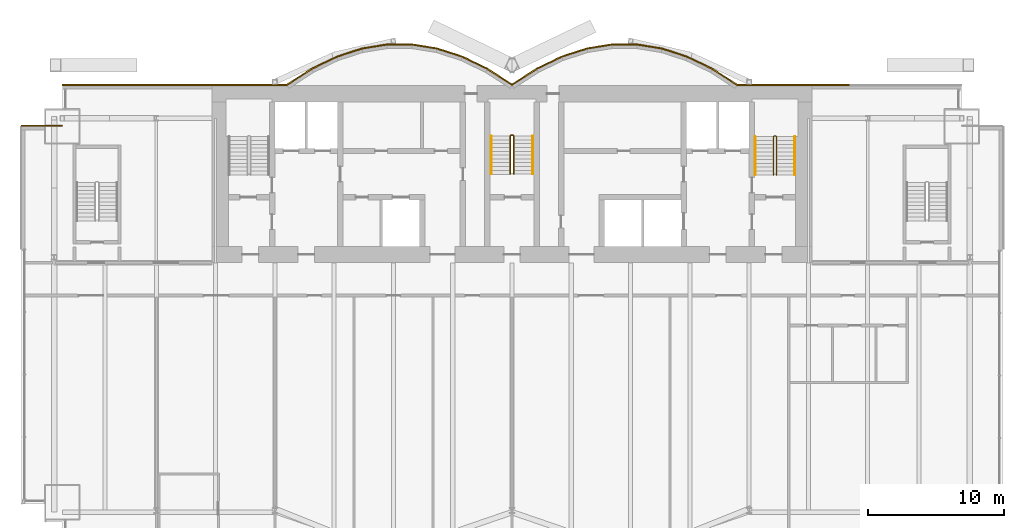
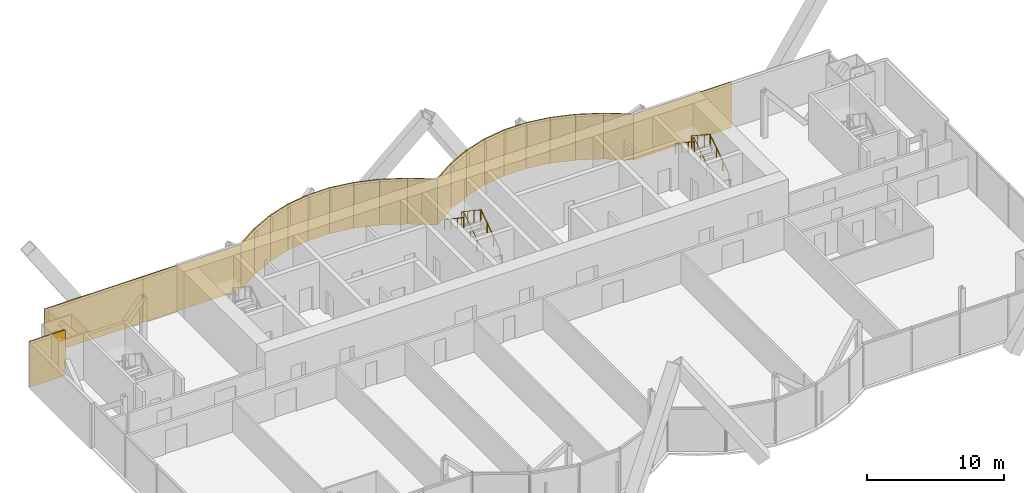
# One storey, part 20 of 21: 22 coverings, 6 railings.
"""IFC4 building model written with IfcOpenShell, lengths in metres."""

from ifc_helpers import new_model, si_unit, direction, frame, origin, origin_2d, place, context, subcontext, project, spatial, rectangle, circle, extrude, material, layer, layer_set, type_object, element, save


model = new_model("IFC4")

# Units and contexts
model_context = context("Model", 3, precision=1e-05, world=origin(), true_north=direction((0.0, 1.0)))
body_context = subcontext(model_context, "Body", "Model", "MODEL_VIEW")
ifc_project = project(units=[si_unit("LENGTHUNIT", "METRE"), si_unit("AREAUNIT", "SQUARE_METRE"), si_unit("VOLUMEUNIT", "CUBIC_METRE"), si_unit("PLANEANGLEUNIT", "RADIAN"), si_unit("MASSUNIT", "GRAM", prefix="KILO")], contexts=[model_context])

# Site, building, storey
site_placement = place(None, origin())
site = spatial("IfcSite", under=ifc_project, at=site_placement, CompositionType="ELEMENT")
building_placement = place(site_placement, origin())
building = spatial("IfcBuilding", under=site, at=building_placement, Name="Bicima Exchange Tower", CompositionType="ELEMENT")
storey_placement = place(building_placement, frame((0.0, 0.0, 181.39990234375)))
storey = spatial("IfcBuildingStorey", under=building, at=storey_placement, Name="L40", CompositionType="ELEMENT", Elevation=181.39990234375)

# Coverings
ifc_material_1 = material(Name="Bronze metal cladding")
ifc_layer_1 = layer(ifc_material_1, 0.004)
ifc_material_2 = material(Name="Ventilated cavity")
ifc_layer_2 = layer(ifc_material_2, 0.06)
ifc_material_3 = material(Name="Galvanised steel rail and mineral wool", Category="steel")
ifc_layer_3 = layer(ifc_material_3, 0.036)
ifc_layer_set = layer_set([ifc_layer_1, ifc_layer_2, ifc_layer_3], Name="Ventilated cavity")
covering_type = type_object("IfcCoveringType", Name="Bronze metal cladding panel 100", PredefinedType="CLADDING", material=ifc_layer_set)
covering_1_placement = place(storey_placement, frame((20.625, 0.050048828125, -0.14990234375), z_axis=(0.0, 0.0, 1.0), x_axis=(-1.0, 0.0, 0.0)))
element("IfcCovering", 1, at=covering_1_placement, inside=storey, type_object=covering_type, Name="Bronze cladding L40 1.2", PredefinedType="CLADDING", context=body_context, shape_type="SweptSolid", body=[
    extrude(rectangle(XDim=8.25, YDim=0.10009765625, at=origin_2d()), origin(), (0.0, 0.0, 1.0), 4.050048828125),
])
covering_2_placement = place(storey_placement, frame((15.610595703125, 0.634521484375, -0.14990234375), z_axis=(0.0, 0.0, 1.0), x_axis=(-0.839790466384, 0.542910648791, 0.0)))
element("IfcCovering", 2, at=covering_2_placement, inside=storey, type_object=covering_type, Name="Bronze cladding L40 2.1", PredefinedType="CLADDING", context=body_context, shape_type="SweptSolid", body=[
    extrude(rectangle(XDim=2.18310546875, YDim=0.10009765625, at=origin_2d()), origin(), (0.0, 0.0, 1.0), 4.050048828125),
])
covering_3_placement = place(storey_placement, frame((13.771728515625, 1.674560546875, -0.14990234375), z_axis=(0.0, 0.0, 1.0), x_axis=(-0.899818346812, 0.436264762204, 0.0)))
element("IfcCovering", 3, at=covering_3_placement, inside=storey, type_object=covering_type, Name="Bronze cladding L40 3.1", PredefinedType="CLADDING", context=body_context, shape_type="SweptSolid", body=[
    extrude(rectangle(XDim=2.03759765625, YDim=0.10009765625, at=origin_2d()), origin(), (0.0, 0.0, 1.0), 4.050048828125),
])
covering_4_placement = place(storey_placement, frame((11.931884765625, 2.41796875, -0.14990234375), z_axis=(0.0, 0.0, 1.0), x_axis=(-0.951524642381, 0.307572519808, 0.0)))
element("IfcCovering", 4, at=covering_4_placement, inside=storey, type_object=covering_type, Name="Bronze cladding L40 4.1", PredefinedType="CLADDING", context=body_context, shape_type="SweptSolid", body=[
    extrude(rectangle(XDim=1.9267578125, YDim=0.10009765625, at=origin_2d()), origin(), (0.0, 0.0, 1.0), 4.050048828125),
])
covering_5_placement = place(storey_placement, frame((10.09130859375, 2.8642578125, -0.14990234375), z_axis=(0.0, 0.0, 1.0), x_axis=(-0.987189786347, 0.159550386184, 0.0)))
element("IfcCovering", 5, at=covering_5_placement, inside=storey, type_object=covering_type, Name="Bronze cladding L40 5.1", PredefinedType="CLADDING", context=body_context, shape_type="SweptSolid", body=[
    extrude(rectangle(XDim=1.857177734375, YDim=0.10009765625, at=origin_2d()), origin(), (0.0, 0.0, 1.0), 4.050048828125),
])
covering_6_placement = place(storey_placement, frame((8.25, 3.012939453125, -0.14990234375), z_axis=(0.0, 0.0, 1.0), x_axis=(-1.0, 0.0, 0.0)))
element("IfcCovering", 6, at=covering_6_placement, inside=storey, type_object=covering_type, Name="Bronze cladding L40 6.1", PredefinedType="CLADDING", context=body_context, shape_type="SweptSolid", body=[
    extrude(rectangle(XDim=1.83349609375, YDim=0.10009765625, at=origin_2d()), origin(), (0.0, 0.0, 1.0), 4.050048828125),
])
covering_7_placement = place(storey_placement, frame((6.40869140625, 2.8642578125, -0.14990234375), z_axis=(0.0, 0.0, 1.0), x_axis=(-0.987189786347, -0.159550386184, 0.0)))
element("IfcCovering", 7, at=covering_7_placement, inside=storey, type_object=covering_type, Name="Bronze cladding L40 7.1", PredefinedType="CLADDING", context=body_context, shape_type="SweptSolid", body=[
    extrude(rectangle(XDim=1.857177734375, YDim=0.10009765625, at=origin_2d()), origin(), (0.0, 0.0, 1.0), 4.050048828125),
])
covering_8_placement = place(storey_placement, frame((4.568115234375, 2.41796875, -0.14990234375), z_axis=(0.0, 0.0, 1.0), x_axis=(-0.951524642381, -0.307572519808, 0.0)))
element("IfcCovering", 8, at=covering_8_placement, inside=storey, type_object=covering_type, Name="Bronze cladding L40 8.1", PredefinedType="CLADDING", context=body_context, shape_type="SweptSolid", body=[
    extrude(rectangle(XDim=1.9267578125, YDim=0.10009765625, at=origin_2d()), origin(), (0.0, 0.0, 1.0), 4.050048828125),
])
covering_9_placement = place(storey_placement, frame((2.728271484375, 1.674560546875, -0.14990234375), z_axis=(0.0, 0.0, 1.0), x_axis=(-0.899818346812, -0.436264762204, 0.0)))
element("IfcCovering", 9, at=covering_9_placement, inside=storey, type_object=covering_type, Name="Bronze cladding L40 9.1", PredefinedType="CLADDING", context=body_context, shape_type="SweptSolid", body=[
    extrude(rectangle(XDim=2.03759765625, YDim=0.10009765625, at=origin_2d()), origin(), (0.0, 0.0, 1.0), 4.050048828125),
])
for number, where, z_axis, x_axis, name in (
    (10, (0.889404296875, 0.634521484375, -0.14990234375), (0.0, 0.0, 1.0), (-0.839790466384, -0.542910648791, 0.0), "Bronze cladding L40 10.1"),
    (11, (-0.889404296875, 0.634521484375, -0.14990234375), (0.0, 0.0, 1.0), (-0.839790466384, 0.542910648791, 0.0), "Bronze cladding L40 11.1"),
):
    element("IfcCovering", number, at=place(storey_placement, frame(where, z_axis=z_axis, x_axis=x_axis)), inside=storey, type_object=covering_type, Name=name, PredefinedType="CLADDING", context=body_context, shape_type="SweptSolid", body=[
        extrude(rectangle(XDim=2.18310546875, YDim=0.10009765625, at=origin_2d()), origin(), (0.0, 0.0, 1.0), 4.050048828125),
    ])
covering_10_placement = place(storey_placement, frame((-2.728271484375, 1.674560546875, -0.14990234375), z_axis=(0.0, 0.0, 1.0), x_axis=(-0.899818346812, 0.436264762204, 0.0)))
element("IfcCovering", 12, at=covering_10_placement, inside=storey, type_object=covering_type, Name="Bronze cladding L40 12.1", PredefinedType="CLADDING", context=body_context, shape_type="SweptSolid", body=[
    extrude(rectangle(XDim=2.03759765625, YDim=0.10009765625, at=origin_2d()), origin(), (0.0, 0.0, 1.0), 4.050048828125),
])
covering_11_placement = place(storey_placement, frame((-4.568115234375, 2.41796875, -0.14990234375), z_axis=(0.0, 0.0, 1.0), x_axis=(-0.951524642381, 0.307572519808, 0.0)))
element("IfcCovering", 13, at=covering_11_placement, inside=storey, type_object=covering_type, Name="Bronze cladding L40 13.1", PredefinedType="CLADDING", context=body_context, shape_type="SweptSolid", body=[
    extrude(rectangle(XDim=1.9267578125, YDim=0.10009765625, at=origin_2d()), origin(), (0.0, 0.0, 1.0), 4.050048828125),
])
covering_12_placement = place(storey_placement, frame((-6.40869140625, 2.8642578125, -0.14990234375), z_axis=(0.0, 0.0, 1.0), x_axis=(-0.987189786347, 0.159550386184, 0.0)))
element("IfcCovering", 14, at=covering_12_placement, inside=storey, type_object=covering_type, Name="Bronze cladding L40 14.1", PredefinedType="CLADDING", context=body_context, shape_type="SweptSolid", body=[
    extrude(rectangle(XDim=1.857177734375, YDim=0.10009765625, at=origin_2d()), origin(), (0.0, 0.0, 1.0), 4.050048828125),
])
covering_13_placement = place(storey_placement, frame((-8.25, 3.012939453125, -0.14990234375), z_axis=(0.0, 0.0, 1.0), x_axis=(-1.0, 0.0, 0.0)))
element("IfcCovering", 15, at=covering_13_placement, inside=storey, type_object=covering_type, Name="Bronze cladding L40 15.1", PredefinedType="CLADDING", context=body_context, shape_type="SweptSolid", body=[
    extrude(rectangle(XDim=1.83349609375, YDim=0.10009765625, at=origin_2d()), origin(), (0.0, 0.0, 1.0), 4.050048828125),
])
covering_14_placement = place(storey_placement, frame((-10.09130859375, 2.8642578125, -0.14990234375), z_axis=(0.0, 0.0, 1.0), x_axis=(-0.987189786347, -0.159550386184, 0.0)))
element("IfcCovering", 16, at=covering_14_placement, inside=storey, type_object=covering_type, Name="Bronze cladding L40 16.1", PredefinedType="CLADDING", context=body_context, shape_type="SweptSolid", body=[
    extrude(rectangle(XDim=1.857177734375, YDim=0.10009765625, at=origin_2d()), origin(), (0.0, 0.0, 1.0), 4.050048828125),
])
covering_15_placement = place(storey_placement, frame((-11.931884765625, 2.41796875, -0.14990234375), z_axis=(0.0, 0.0, 1.0), x_axis=(-0.951524642381, -0.307572519808, 0.0)))
element("IfcCovering", 17, at=covering_15_placement, inside=storey, type_object=covering_type, Name="Bronze cladding L40 17.1", PredefinedType="CLADDING", context=body_context, shape_type="SweptSolid", body=[
    extrude(rectangle(XDim=1.9267578125, YDim=0.10009765625, at=origin_2d()), origin(), (0.0, 0.0, 1.0), 4.050048828125),
])
covering_16_placement = place(storey_placement, frame((-13.771728515625, 1.674560546875, -0.14990234375), z_axis=(0.0, 0.0, 1.0), x_axis=(-0.899818346812, -0.436264762204, 0.0)))
element("IfcCovering", 18, at=covering_16_placement, inside=storey, type_object=covering_type, Name="Bronze cladding L40 18.1", PredefinedType="CLADDING", context=body_context, shape_type="SweptSolid", body=[
    extrude(rectangle(XDim=2.03759765625, YDim=0.10009765625, at=origin_2d()), origin(), (0.0, 0.0, 1.0), 4.050048828125),
])
covering_17_placement = place(storey_placement, frame((-15.610595703125, 0.634521484375, -0.14990234375), z_axis=(0.0, 0.0, 1.0), x_axis=(-0.839790466384, -0.542910648791, 0.0)))
element("IfcCovering", 19, at=covering_17_placement, inside=storey, type_object=covering_type, Name="Bronze cladding L40 19.1", PredefinedType="CLADDING", context=body_context, shape_type="SweptSolid", body=[
    extrude(rectangle(XDim=2.18310546875, YDim=0.10009765625, at=origin_2d()), origin(), (0.0, 0.0, 1.0), 4.050048828125),
])
for number, where, z_axis, x_axis, name in (
    (20, (-20.625, 0.050048828125, -0.14990234375), (0.0, 0.0, 1.0), (-1.0, 0.0, 0.0), "Bronze cladding L40 20.1"),
    (21, (-28.875, 0.050048828125, -0.14990234375), (0.0, 0.0, 1.0), (-1.0, 0.0, 0.0), "Bronze cladding L40 20.2"),
):
    element("IfcCovering", number, at=place(storey_placement, frame(where, z_axis=z_axis, x_axis=x_axis)), inside=storey, type_object=covering_type, Name=name, PredefinedType="CLADDING", context=body_context, shape_type="SweptSolid", body=[
        extrude(rectangle(XDim=8.25, YDim=0.10009765625, at=origin_2d()), origin(), (0.0, 0.0, 1.0), 4.050048828125),
    ])
covering_18_placement = place(storey_placement, frame((-34.5, -2.949951171875, -0.14990234375), z_axis=(0.0, 0.0, 1.0), x_axis=(-1.0, 0.0, 0.0)))
element("IfcCovering", 22, at=covering_18_placement, inside=storey, type_object=covering_type, Name="Bronze cladding L40 22.1", PredefinedType="CLADDING", context=body_context, shape_type="SweptSolid", body=[
    extrude(rectangle(XDim=3.0, YDim=0.10009765625, at=origin_2d()), origin(), (0.0, 0.0, 1.0), 4.050048828125),
])

# Railings
ifc_material_4 = material(Name="Stainless steel", Category="steel")
railing_type_1 = type_object("IfcRailingType", Name="Stair guard 1100", PredefinedType="GUARDRAIL", material=ifc_material_4)
railing_1_placement = place(storey_placement, frame((0.125, -6.5, 0.1865234375)))
element("IfcRailing", 23, at=railing_1_placement, inside=storey, type_object=railing_type_1, Name="L40 ST-C stair guard 1", PredefinedType="GUARDRAIL", context=body_context, shape_type="SweptSolid", body=[
    extrude(circle(Radius=0.02392578125, at=origin_2d()), frame((0.0, 0.0, 1.076171875), z_axis=(0.0, 0.832485552168, 0.554046753832), x_axis=(-1.0, 0.0, 0.0)), (0.0, 0.0, 1.0), 3.363525390625),
    extrude(circle(Radius=0.02392578125, at=origin_2d()), frame((0.0, 2.800048828125, 2.939453125), z_axis=(-0.707106781187, 0.707106781187, 0.0), x_axis=(-0.707106781187, -0.707106781187, 0.0)), (0.0, 0.0, 1.0), 0.07080078125),
    extrude(circle(Radius=0.02392578125, at=origin_2d()), frame((-0.050048828125, 2.85009765625, 2.939453125), z_axis=(-1.0, 0.0, 0.0), x_axis=(0.0, -1.0, 0.0)), (0.0, 0.0, 1.0), 0.14990234375),
    extrude(circle(Radius=0.02392578125, at=origin_2d()), frame((-0.199951171875, 2.85009765625, 2.939453125), z_axis=(-0.250869701741, -0.250869701741, 0.934948546978), x_axis=(0.707106781187, -0.707106781187, 0.0)), (0.0, 0.0, 1.0), 0.199462890625),
    extrude(circle(Radius=0.02392578125, at=origin_2d()), frame((-0.25, 2.800048828125, 3.1259765625), z_axis=(0.0, -0.832485552168, 0.554046753832), x_axis=(1.0, 0.0, 0.0)), (0.0, 0.0, 1.0), 3.363525390625),
    extrude(circle(Radius=0.02099609375, at=origin_2d()), origin(), (0.0, 0.0, 1.0), 1.052001953125),
    extrude(circle(Radius=0.02099609375, at=origin_2d()), frame((0.0, 0.933349609375, 0.62109375)), (0.0, 0.0, 1.0), 1.052001953125),
    extrude(circle(Radius=0.02099609375, at=origin_2d()), frame((0.0, 1.86669921875, 1.242431640625)), (0.0, 0.0, 1.0), 1.052001953125),
    extrude(circle(Radius=0.02099609375, at=origin_2d()), frame((0.0, 2.800048828125, 1.863525390625)), (0.0, 0.0, 1.0), 1.052001953125),
    extrude(circle(Radius=0.02099609375, at=origin_2d()), frame((-0.050048828125, 2.85009765625, 1.863525390625)), (0.0, 0.0, 1.0), 1.052001953125),
    extrude(circle(Radius=0.02099609375, at=origin_2d()), frame((-0.199951171875, 2.85009765625, 1.863525390625)), (0.0, 0.0, 1.0), 1.052001953125),
    extrude(circle(Radius=0.02099609375, at=origin_2d()), frame((-0.25, 2.800048828125, 2.050048828125)), (0.0, 0.0, 1.0), 1.052001953125),
    extrude(circle(Radius=0.02099609375, at=origin_2d()), frame((-0.25, 1.86669921875, 2.671142578125)), (0.0, 0.0, 1.0), 1.052001953125),
    extrude(circle(Radius=0.02099609375, at=origin_2d()), frame((-0.25, 0.933349609375, 3.29248046875)), (0.0, 0.0, 1.0), 1.052001953125),
    extrude(circle(Radius=0.02099609375, at=origin_2d()), frame((-0.25, 0.0, 3.91357421875)), (0.0, 0.0, 1.0), 1.052001953125),
])
railing_2_placement = place(storey_placement, frame((19.39990234375, -6.550048828125, 0.1865234375)))
element("IfcRailing", 24, at=railing_2_placement, inside=storey, type_object=railing_type_1, Name="L40 ST-E stair guard 1", PredefinedType="GUARDRAIL", context=body_context, shape_type="SweptSolid", body=[
    extrude(circle(Radius=0.02392578125, at=origin_2d()), frame((0.0, 0.0, 1.076171875), z_axis=(0.0, 0.832485552168, 0.554046753832), x_axis=(-1.0, 0.0, 0.0)), (0.0, 0.0, 1.0), 3.363525390625),
    extrude(circle(Radius=0.02392578125, at=origin_2d()), frame((0.0, 2.800048828125, 2.939453125), z_axis=(-0.705375805398, 0.708833529934, 0.0), x_axis=(-0.708833529934, -0.705375805398, 0.0)), (0.0, 0.0, 1.0), 0.070556640625),
    extrude(circle(Radius=0.02392578125, at=origin_2d()), frame((-0.0498046875, 2.85009765625, 2.939453125), z_axis=(-1.0, 0.0, 0.0), x_axis=(0.0, -1.0, 0.0)), (0.0, 0.0, 1.0), 0.10009765625),
    extrude(circle(Radius=0.02392578125, at=origin_2d()), frame((-0.14990234375, 2.85009765625, 2.939453125), z_axis=(-0.250869701741, -0.250869701741, 0.934948546978), x_axis=(0.707106781187, -0.707106781187, 0.0)), (0.0, 0.0, 1.0), 0.199462890625),
    extrude(circle(Radius=0.02392578125, at=origin_2d()), frame((-0.199951171875, 2.800048828125, 3.1259765625), z_axis=(0.0, -0.832485552168, 0.554046753832), x_axis=(1.0, 0.0, 0.0)), (0.0, 0.0, 1.0), 3.363525390625),
    extrude(circle(Radius=0.02099609375, at=origin_2d()), origin(), (0.0, 0.0, 1.0), 1.052001953125),
    extrude(circle(Radius=0.02099609375, at=origin_2d()), frame((0.0, 0.933349609375, 0.62109375)), (0.0, 0.0, 1.0), 1.052001953125),
    extrude(circle(Radius=0.02099609375, at=origin_2d()), frame((0.0, 1.86669921875, 1.242431640625)), (0.0, 0.0, 1.0), 1.052001953125),
    extrude(circle(Radius=0.02099609375, at=origin_2d()), frame((0.0, 2.800048828125, 1.863525390625)), (0.0, 0.0, 1.0), 1.052001953125),
    extrude(circle(Radius=0.02099609375, at=origin_2d()), frame((-0.0498046875, 2.85009765625, 1.863525390625)), (0.0, 0.0, 1.0), 1.052001953125),
    extrude(circle(Radius=0.02099609375, at=origin_2d()), frame((-0.14990234375, 2.85009765625, 1.863525390625)), (0.0, 0.0, 1.0), 1.052001953125),
    extrude(circle(Radius=0.02099609375, at=origin_2d()), frame((-0.199951171875, 2.800048828125, 2.050048828125)), (0.0, 0.0, 1.0), 1.052001953125),
    extrude(circle(Radius=0.02099609375, at=origin_2d()), frame((-0.199951171875, 1.86669921875, 2.671142578125)), (0.0, 0.0, 1.0), 1.052001953125),
    extrude(circle(Radius=0.02099609375, at=origin_2d()), frame((-0.199951171875, 0.933349609375, 3.29248046875)), (0.0, 0.0, 1.0), 1.052001953125),
    extrude(circle(Radius=0.02099609375, at=origin_2d()), frame((-0.199951171875, 0.0, 3.91357421875)), (0.0, 0.0, 1.0), 1.052001953125),
])
railing_type_2 = type_object("IfcRailingType", Name="Stair handrail 900", PredefinedType="HANDRAIL", material=ifc_material_4)
railing_3_placement = place(storey_placement, frame((1.52490234375, -6.5, 0.1865234375)))
element("IfcRailing", 25, at=railing_3_placement, inside=storey, type_object=railing_type_2, Name="L40 ST-C stair handrail 1", PredefinedType="HANDRAIL", context=body_context, shape_type="SweptSolid", body=[
    extrude(circle(Radius=0.02392578125, at=origin_2d()), frame((0.0, 0.0, 0.8759765625), z_axis=(0.0, 0.832485552168, 0.554046753832), x_axis=(-1.0, 0.0, 0.0)), (0.0, 0.0, 1.0), 3.363525390625),
    extrude(circle(Radius=0.02099609375, at=origin_2d()), origin(), (0.0, 0.0, 1.0), 0.851806640625),
    extrude(circle(Radius=0.02099609375, at=origin_2d()), frame((0.0, 0.933349609375, 0.62109375)), (0.0, 0.0, 1.0), 0.851806640625),
    extrude(circle(Radius=0.02099609375, at=origin_2d()), frame((0.0, 1.86669921875, 1.242431640625)), (0.0, 0.0, 1.0), 0.851806640625),
    extrude(circle(Radius=0.02099609375, at=origin_2d()), frame((0.0, 2.800048828125, 1.863525390625)), (0.0, 0.0, 1.0), 0.851806640625),
])
railing_4_placement = place(storey_placement, frame((-1.52490234375, -3.699951171875, 2.236572265625)))
element("IfcRailing", 26, at=railing_4_placement, inside=storey, type_object=railing_type_2, Name="L40 ST-C stair handrail 2", PredefinedType="HANDRAIL", context=body_context, shape_type="SweptSolid", body=[
    extrude(circle(Radius=0.02392578125, at=origin_2d()), frame((0.0, 0.0, 0.8759765625), z_axis=(0.0, -0.832485552168, 0.554046753832), x_axis=(1.0, 0.0, 0.0)), (0.0, 0.0, 1.0), 3.363525390625),
    extrude(circle(Radius=0.02099609375, at=origin_2d()), origin(), (0.0, 0.0, 1.0), 0.851806640625),
    extrude(circle(Radius=0.02099609375, at=origin_2d()), frame((0.0, -0.933349609375, 0.62109375)), (0.0, 0.0, 1.0), 0.851806640625),
    extrude(circle(Radius=0.02099609375, at=origin_2d()), frame((0.0, -1.86669921875, 1.242431640625)), (0.0, 0.0, 1.0), 0.851806640625),
    extrude(circle(Radius=0.02099609375, at=origin_2d()), frame((0.0, -2.800048828125, 1.863525390625)), (0.0, 0.0, 1.0), 0.851806640625),
])
railing_5_placement = place(storey_placement, frame((20.75, -6.550048828125, 0.1865234375)))
element("IfcRailing", 27, at=railing_5_placement, inside=storey, type_object=railing_type_2, Name="L40 ST-E stair handrail 1", PredefinedType="HANDRAIL", context=body_context, shape_type="SweptSolid", body=[
    extrude(circle(Radius=0.02392578125, at=origin_2d()), frame((0.0, 0.0, 0.8759765625), z_axis=(0.0, 0.832485552168, 0.554046753832), x_axis=(-1.0, 0.0, 0.0)), (0.0, 0.0, 1.0), 3.363525390625),
    extrude(circle(Radius=0.02099609375, at=origin_2d()), origin(), (0.0, 0.0, 1.0), 0.851806640625),
    extrude(circle(Radius=0.02099609375, at=origin_2d()), frame((0.0, 0.933349609375, 0.62109375)), (0.0, 0.0, 1.0), 0.851806640625),
    extrude(circle(Radius=0.02099609375, at=origin_2d()), frame((0.0, 1.86669921875, 1.242431640625)), (0.0, 0.0, 1.0), 0.851806640625),
    extrude(circle(Radius=0.02099609375, at=origin_2d()), frame((0.0, 2.800048828125, 1.863525390625)), (0.0, 0.0, 1.0), 0.851806640625),
])
railing_6_placement = place(storey_placement, frame((17.85009765625, -3.75, 2.236572265625)))
element("IfcRailing", 28, at=railing_6_placement, inside=storey, type_object=railing_type_2, Name="L40 ST-E stair handrail 2", PredefinedType="HANDRAIL", context=body_context, shape_type="SweptSolid", body=[
    extrude(circle(Radius=0.02392578125, at=origin_2d()), frame((0.0, 0.0, 0.8759765625), z_axis=(0.0, -0.832485552168, 0.554046753832), x_axis=(1.0, 0.0, 0.0)), (0.0, 0.0, 1.0), 3.363525390625),
    extrude(circle(Radius=0.02099609375, at=origin_2d()), origin(), (0.0, 0.0, 1.0), 0.851806640625),
    extrude(circle(Radius=0.02099609375, at=origin_2d()), frame((0.0, -0.933349609375, 0.62109375)), (0.0, 0.0, 1.0), 0.851806640625),
    extrude(circle(Radius=0.02099609375, at=origin_2d()), frame((0.0, -1.86669921875, 1.242431640625)), (0.0, 0.0, 1.0), 0.851806640625),
    extrude(circle(Radius=0.02099609375, at=origin_2d()), frame((0.0, -2.800048828125, 1.863525390625)), (0.0, 0.0, 1.0), 0.851806640625),
])

save(model, "model.ifc")
